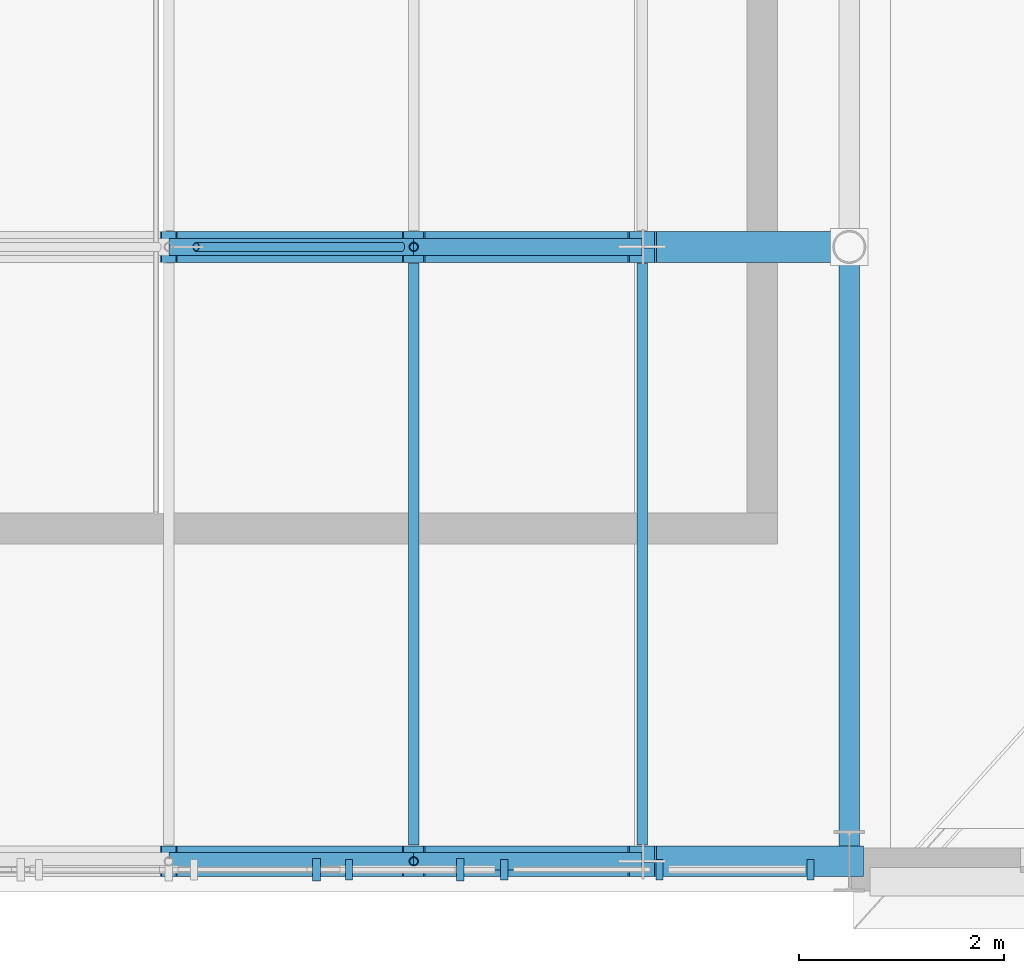
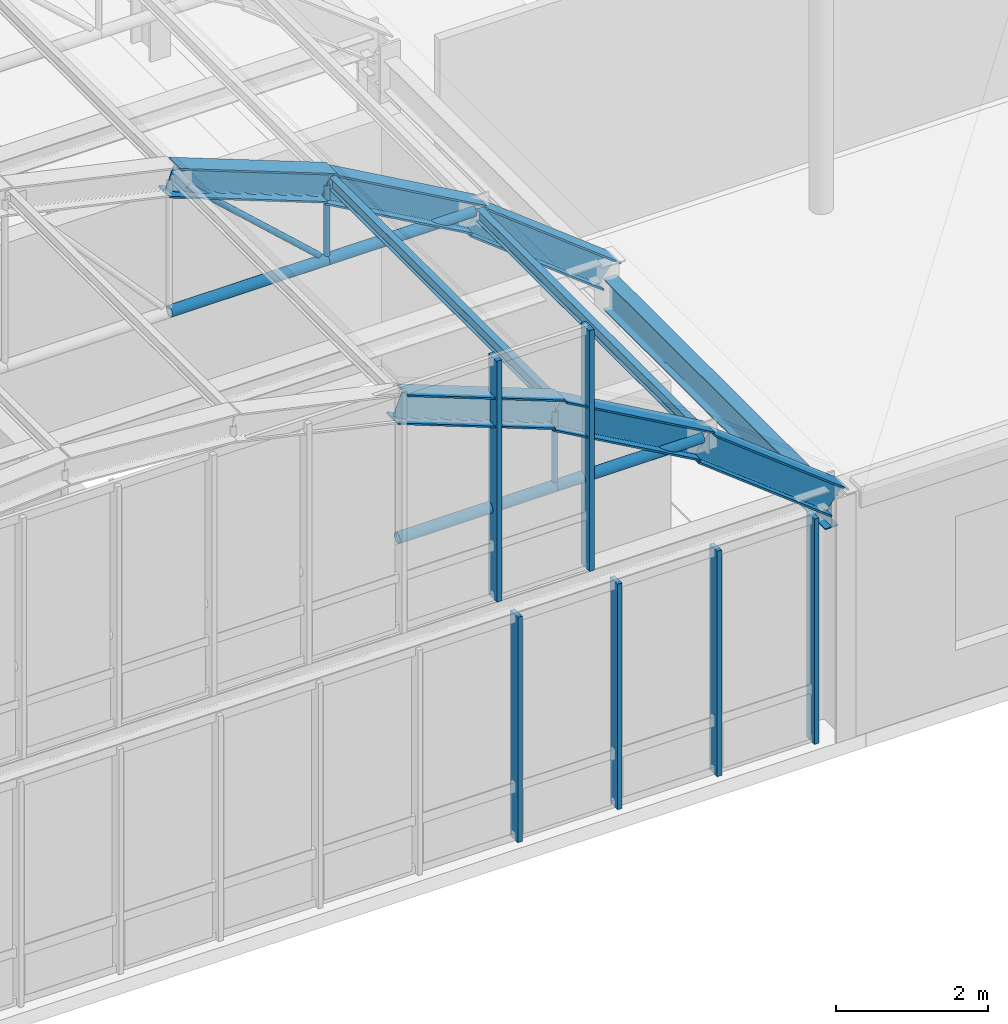
# One storey, part 40 of 148: 13 members, 9 beams, 2 elements without a shape of their own.
"""IFC4 building model written with IfcOpenShell, lengths in metres."""

from ifc_helpers import new_model, si_unit, direction, frame, origin, origin_2d, place, context, subcontext, project, spatial, rectangle, hollow_circle, i_section, extrude, material, layer, layer_set, material_profile, profile_set, type_object, element, aggregate, save


model = new_model("IFC4")

# Units and contexts
model_context = context("Model", 3, precision=1e-05, world=origin(), true_north=direction((0.0, 1.0)))
body_context = subcontext(model_context, "Body", "Model", "MODEL_VIEW")
ifc_project = project(units=[si_unit("LENGTHUNIT", "METRE"), si_unit("AREAUNIT", "SQUARE_METRE"), si_unit("VOLUMEUNIT", "CUBIC_METRE"), si_unit("PLANEANGLEUNIT", "RADIAN"), si_unit("MASSUNIT", "GRAM", prefix="KILO"), si_unit("THERMODYNAMICTEMPERATUREUNIT", "KELVIN"), si_unit("POWERUNIT", "WATT")], contexts=[model_context])

# Site, building, storey
site_placement = place(None, origin())
site = spatial("IfcSite", under=ifc_project, at=site_placement, CompositionType="ELEMENT")
building_placement = place(site_placement, origin())
building = spatial("IfcBuilding", under=site, at=building_placement, Name="Solvatero Civic Police Headquarters", CompositionType="ELEMENT")
storey_placement = place(building_placement, frame((0.0, 0.0, 5.10009765625)))
storey = spatial("IfcBuildingStorey", under=building, at=storey_placement, Name="L01", CompositionType="ELEMENT", Elevation=5.10009765625)

# Beams
ifc_material_1 = material(Name="Steel S355", Category="steel")
ifc_material_profile_1 = material_profile(ifc_material_1, i_section(OverallWidth=0.300048828125, OverallDepth=0.449951171875, WebThickness=0.013916015625, FlangeThickness=0.02587890625, FilletRadius=0.027099609375, at=origin_2d()), Name="HEB 450")
ifc_profile_set_1 = profile_set([ifc_material_profile_1], Name="Steel S355")
beam_type_1 = type_object("IfcBeamType", Name="BM-ST-HEB450", PredefinedType="BEAM", material=ifc_profile_set_1)
for number, where, z_axis, x_axis, name in (
    (1, (115.55517578125, 4.800048828125, 7.53955078125), (0.933355429458, 0.0, -0.358953537802), (0.0, 1.0, 0.0), "VLT1 Tied-Arch Vault Top Chord F1.8"),
    (2, (117.946533203125, 4.800048828125, 6.590087890625), (0.870765086908, 0.0, -0.491699261156), (0.0, 1.0, 0.0), "VLT1 Tied-Arch Vault Top Chord F1.9"),
    (3, (120.177490234375, 4.800048828125, 5.284912109375), (0.789403525995, 0.0, -0.613874639602), (0.0, 1.0, 0.0), "VLT1 Tied-Arch Vault Top Chord F1.10"),
    (4, (115.55517578125, 10.800048828125, 7.53955078125), (0.933355429458, 0.0, -0.358953537802), (0.0, 1.0, 0.0), "VLT1 Tied-Arch Vault Top Chord F2.8"),
    (5, (117.946533203125, 10.800048828125, 6.590087890625), (0.870765086908, 0.0, -0.491699261156), (0.0, 1.0, 0.0), "VLT1 Tied-Arch Vault Top Chord F2.9"),
    (6, (120.177490234375, 10.800048828125, 5.284912109375), (0.789403525995, 0.0, -0.613874639602), (0.0, 1.0, 0.0), "VLT1 Tied-Arch Vault Top Chord F2.10"),
):
    element("IfcBeam", number, at=place(storey_placement, frame(where, z_axis=z_axis, x_axis=x_axis)), inside=storey, type_object=beam_type_1, Name=name, PredefinedType="BEAM", context=body_context, shape_type="SweptSolid", body=[
        extrude(i_section(OverallWidth=0.300048828125, OverallDepth=0.449951171875, WebThickness=0.013916015625, FlangeThickness=0.02587890625, FilletRadius=0.027099609375, at=origin_2d()), origin(), (0.0, 0.0, 1.0), 2.56201171875),
    ])
ifc_material_profile_2 = material_profile(ifc_material_1, i_section(OverallWidth=0.10009765625, OverallDepth=0.199951171875, WebThickness=0.005615234375, FlangeThickness=0.008544921875, FilletRadius=0.011962890625, at=origin_2d()), Name="IPE 200")
ifc_profile_set_2 = profile_set([ifc_material_profile_2], Name="Steel S355")
beam_type_2 = type_object("IfcBeamType", Name="BM-ST-IPE200", PredefinedType="JOIST", material=ifc_profile_set_2)
for number, where, z_axis, x_axis, name in (
    (7, (117.946533203125, 4.9580078125, 6.721435546875), (0.0, 1.0, 0.0), (-1.0, 0.0, 0.0), "VLT1 Vault Roof Purlin B1.8"),
    (8, (120.177490234375, 4.9580078125, 5.4326171875), (0.0, 1.0, 0.0), (-1.0, 0.0, 0.0), "VLT1 Vault Roof Purlin B1.9"),
):
    element("IfcBeam", number, at=place(storey_placement, frame(where, z_axis=z_axis, x_axis=x_axis)), inside=storey, type_object=beam_type_2, Name=name, PredefinedType="JOIST", context=body_context, shape_type="SweptSolid", body=[
        extrude(i_section(OverallWidth=0.10009765625, OverallDepth=0.199951171875, WebThickness=0.005615234375, FlangeThickness=0.008544921875, FilletRadius=0.011962890625, at=origin_2d()), origin(), (0.0, 0.0, 1.0), 5.68408203125),
    ])
ifc_material_profile_3 = material_profile(ifc_material_1, i_section(OverallWidth=0.199951171875, OverallDepth=0.5, WebThickness=0.01025390625, FlangeThickness=0.01611328125, FilletRadius=0.02099609375, at=origin_2d()), Name="IPE 500")
ifc_profile_set_3 = profile_set([ifc_material_profile_3], Name="Steel S355")
beam_type_3 = type_object("IfcBeamType", Name="BM-ST-IPE500", PredefinedType="BEAM", material=ifc_profile_set_3)
beam_placement = place(storey_placement, frame((122.199951171875, 4.8798828125, 3.429931640625), z_axis=(0.0, 1.0, 0.0), x_axis=(-1.0, 0.0, 0.0)))
element("IfcBeam", 9, at=beam_placement, inside=storey, type_object=beam_type_3, Name="Primary girder BM-R2-VLT1-SPR-E-B1", PredefinedType="BEAM", context=body_context, shape_type="SweptSolid", body=[
    extrude(i_section(OverallWidth=0.199951171875, OverallDepth=0.5, WebThickness=0.01025390625, FlangeThickness=0.01611328125, FilletRadius=0.02099609375, at=origin_2d()), origin(), (0.0, 0.0, 1.0), 5.840087890625),
])

# Curtain wall, members
ifc_material_2 = material(Name="Anodized Bronze Aluminium", Category="aluminium")
ifc_layer_1 = layer(ifc_material_2, 0.179931640625)
ifc_layer_set_1 = layer_set([ifc_layer_1], Name="Anodized Bronze Aluminium")
curtain_wall_type_1 = type_object("IfcCurtainWallType", Name="CW-HAL-GLZ", PredefinedType="USERDEFINED", material=ifc_layer_set_1)
curtain_wall_1_placement = place(storey_placement, origin())
curtain_wall_1 = element("IfcCurtainWall", 10, at=curtain_wall_1_placement, inside=storey, type_object=curtain_wall_type_1, Name="Curtain Wall CW-R2-L01-V1-S", ObjectType="UNITISED", PredefinedType="USERDEFINED")
ifc_material_profile_4 = material_profile(ifc_material_2, rectangle(XDim=0.070068359375, YDim=0.199951171875, at=origin_2d()), Name="ALU MULLION 70x200")
ifc_profile_set_4 = profile_set([ifc_material_profile_4], Name="Anodized Bronze Aluminium")
member_type_1 = type_object("IfcMemberType", Name="CWM-220x80", PredefinedType="MULLION", material=ifc_profile_set_4)
member_1_placement = place(storey_placement, frame((117.31591796875, 4.719970703125, 0.0), z_axis=(0.0, 0.0, 1.0), x_axis=(1.0, 0.0, 0.0)))
member_1 = element("IfcMember", 11, at=member_1_placement, type_object=member_type_1, Name="CW-R2-L01-V1-S Mullion 13", PredefinedType="MULLION", context=body_context, shape_type="SweptSolid", body=[
    extrude(rectangle(XDim=0.070068359375, YDim=0.199951171875, at=origin_2d()), origin(), (0.0, 0.0, 1.0), 3.619873046875),
])
member_2_placement = place(storey_placement, frame((118.830810546875, 4.719970703125, 0.0), z_axis=(0.0, 0.0, 1.0), x_axis=(1.0, 0.0, 0.0)))
member_2 = element("IfcMember", 12, at=member_2_placement, type_object=member_type_1, Name="CW-R2-L01-V1-S Mullion 14", PredefinedType="MULLION", context=body_context, shape_type="SweptSolid", body=[
    extrude(rectangle(XDim=0.070068359375, YDim=0.199951171875, at=origin_2d()), origin(), (0.0, 0.0, 1.0), 3.619873046875),
])
member_3_placement = place(storey_placement, frame((120.34521484375, 4.719970703125, 0.0), z_axis=(0.0, 0.0, 1.0), x_axis=(1.0, 0.0, 0.0)))
member_3 = element("IfcMember", 13, at=member_3_placement, type_object=member_type_1, Name="CW-R2-L01-V1-S Mullion 15", PredefinedType="MULLION", context=body_context, shape_type="SweptSolid", body=[
    extrude(rectangle(XDim=0.070068359375, YDim=0.199951171875, at=origin_2d()), origin(), (0.0, 0.0, 1.0), 3.619873046875),
])
member_4_placement = place(storey_placement, frame((121.820068359375, 4.719970703125, 0.0), z_axis=(0.0, 0.0, 1.0), x_axis=(1.0, 0.0, 0.0)))
member_4 = element("IfcMember", 14, at=member_4_placement, type_object=member_type_1, Name="CW-R2-L01-V1-S Mullion 16", PredefinedType="MULLION", context=body_context, shape_type="SweptSolid", body=[
    extrude(rectangle(XDim=0.070068359375, YDim=0.199951171875, at=origin_2d()), origin(), (0.0, 0.0, 1.0), 3.619873046875),
])
aggregate(curtain_wall_1, [member_1, member_2, member_3, member_4])

ifc_layer_2 = layer(ifc_material_2, 0.179931640625)
ifc_layer_set_2 = layer_set([ifc_layer_2], Name="Anodized Bronze Aluminium")
curtain_wall_type_2 = type_object("IfcCurtainWallType", Name="CW-VLT-TYMP", PredefinedType="USERDEFINED", material=ifc_layer_set_2)
curtain_wall_2_placement = place(storey_placement, origin())
curtain_wall_2 = element("IfcCurtainWall", 15, at=curtain_wall_2_placement, inside=storey, type_object=curtain_wall_type_2, Name="Curtain Wall CW-R2-L01-VLT1-S", ObjectType="UNITISED", PredefinedType="USERDEFINED")
ifc_material_profile_5 = material_profile(ifc_material_2, rectangle(XDim=0.074951171875, YDim=0.219970703125, at=origin_2d()), Name="ALU MULLION 75x220")
ifc_profile_set_5 = profile_set([ifc_material_profile_5], Name="Anodized Bronze Aluminium")
member_type_2 = type_object("IfcMemberType", Name="CWM-250x85", PredefinedType="MULLION", material=ifc_profile_set_5)
member_5_placement = place(storey_placement, frame((116.996337890625, 4.719970703125, 3.97998046875), z_axis=(0.0, 0.0, 1.0), x_axis=(1.0, 0.0, 0.0)))
member_5 = element("IfcMember", 16, at=member_5_placement, type_object=member_type_2, Name="CW-R2-L01-VLT1-S Mullion 11", PredefinedType="MULLION", context=body_context, shape_type="SweptSolid", body=[
    extrude(rectangle(XDim=0.074951171875, YDim=0.219970703125, at=origin_2d()), origin(), (0.0, 0.0, 1.0), 3.869873046875),
])
member_6_placement = place(storey_placement, frame((118.39990234375, 4.719970703125, 3.97998046875), z_axis=(0.0, 0.0, 1.0), x_axis=(1.0, 0.0, 0.0)))
member_6 = element("IfcMember", 17, at=member_6_placement, type_object=member_type_2, Name="CW-R2-L01-VLT1-S Mullion 12", PredefinedType="MULLION", context=body_context, shape_type="SweptSolid", body=[
    extrude(rectangle(XDim=0.074951171875, YDim=0.219970703125, at=origin_2d()), origin(), (0.0, 0.0, 1.0), 3.869873046875),
])
aggregate(curtain_wall_2, [member_5, member_6])

# Members
ifc_material_profile_6 = material_profile(ifc_material_1, hollow_circle(Radius=0.04443359375, WallThickness=0.00634765625, at=origin_2d()), Name="CHS 88.9x6.3")
ifc_profile_set_6 = profile_set([ifc_material_profile_6], Name="Steel S355")
member_type_3 = type_object("IfcMemberType", Name="MB-HNG-CHS89", PredefinedType="STRUT", material=ifc_profile_set_6)
member_7_placement = place(storey_placement, frame((117.946533203125, 4.800048828125, 5.431640625), z_axis=(0.0, 0.0, 1.0), x_axis=(1.0, 0.0, 0.0)))
element("IfcMember", 18, at=member_7_placement, inside=storey, type_object=member_type_3, Name="VLT1 Vault Vertical Hanger F1.8", PredefinedType="STRUT", context=body_context, shape_type="SweptSolid", body=[
    extrude(hollow_circle(Radius=0.04443359375, WallThickness=0.00634765625, at=origin_2d()), origin(), (0.0, 0.0, 1.0), 1.169677734375),
])
member_8_placement = place(storey_placement, frame((117.828125, 10.800048828125, 5.49951171875), z_axis=(-0.739076960519, 0.0, 0.673620996132), x_axis=(0.0, -1.0, 0.0)))
element("IfcMember", 19, at=member_8_placement, inside=storey, type_object=member_type_3, Name="VLT1 Vault Truss Diagonal Web F2.7", PredefinedType="STRUT", context=body_context, shape_type="SweptSolid", body=[
    extrude(hollow_circle(Radius=0.04443359375, WallThickness=0.00634765625, at=origin_2d()), origin(), (0.0, 0.0, 1.0), 2.71533203125),
])
member_9_placement = place(storey_placement, frame((117.946533203125, 10.800048828125, 5.431640625), z_axis=(0.0, 0.0, 1.0), x_axis=(1.0, 0.0, 0.0)))
element("IfcMember", 20, at=member_9_placement, inside=storey, type_object=member_type_3, Name="VLT1 Vault Vertical Hanger F2.8", PredefinedType="STRUT", context=body_context, shape_type="SweptSolid", body=[
    extrude(hollow_circle(Radius=0.04443359375, WallThickness=0.00634765625, at=origin_2d()), origin(), (0.0, 0.0, 1.0), 1.169677734375),
])
ifc_material_profile_7 = material_profile(ifc_material_1, hollow_circle(Radius=0.084228515625, WallThickness=0.010009765625, at=origin_2d()), Name="CHS 168.3x10.0")
ifc_profile_set_7 = profile_set([ifc_material_profile_7], Name="Steel S355")
member_type_4 = type_object("IfcMemberType", Name="MB-TIE-CHS168", PredefinedType="CHORD", material=ifc_profile_set_7)
member_10_placement = place(storey_placement, frame((115.55517578125, 4.800048828125, 5.3916015625), z_axis=(1.0, 0.0, 0.0), x_axis=(0.0, 1.0, 0.0)))
element("IfcMember", 21, at=member_10_placement, inside=storey, type_object=member_type_4, Name="VLT1 Vault Horizontal Tie Chord F1.7", PredefinedType="CHORD", context=body_context, shape_type="SweptSolid", body=[
    extrude(hollow_circle(Radius=0.084228515625, WallThickness=0.010009765625, at=origin_2d()), origin(), (0.0, 0.0, 1.0), 2.391357421875),
])
member_11_placement = place(storey_placement, frame((117.946533203125, 4.800048828125, 5.3916015625), z_axis=(1.0, 0.0, 0.0), x_axis=(0.0, 1.0, 0.0)))
element("IfcMember", 22, at=member_11_placement, inside=storey, type_object=member_type_4, Name="VLT1 Vault Horizontal Tie Chord F1.8", PredefinedType="CHORD", context=body_context, shape_type="SweptSolid", body=[
    extrude(hollow_circle(Radius=0.084228515625, WallThickness=0.010009765625, at=origin_2d()), origin(), (0.0, 0.0, 1.0), 2.23095703125),
])
member_12_placement = place(storey_placement, frame((115.55517578125, 10.800048828125, 5.3916015625), z_axis=(1.0, 0.0, 0.0), x_axis=(0.0, 1.0, 0.0)))
element("IfcMember", 23, at=member_12_placement, inside=storey, type_object=member_type_4, Name="VLT1 Vault Horizontal Tie Chord F2.7", PredefinedType="CHORD", context=body_context, shape_type="SweptSolid", body=[
    extrude(hollow_circle(Radius=0.084228515625, WallThickness=0.010009765625, at=origin_2d()), origin(), (0.0, 0.0, 1.0), 2.391357421875),
])
member_13_placement = place(storey_placement, frame((117.946533203125, 10.800048828125, 5.3916015625), z_axis=(1.0, 0.0, 0.0), x_axis=(0.0, 1.0, 0.0)))
element("IfcMember", 24, at=member_13_placement, inside=storey, type_object=member_type_4, Name="VLT1 Vault Horizontal Tie Chord F2.8", PredefinedType="CHORD", context=body_context, shape_type="SweptSolid", body=[
    extrude(hollow_circle(Radius=0.084228515625, WallThickness=0.010009765625, at=origin_2d()), origin(), (0.0, 0.0, 1.0), 2.23095703125),
])

save(model, "model.ifc")
